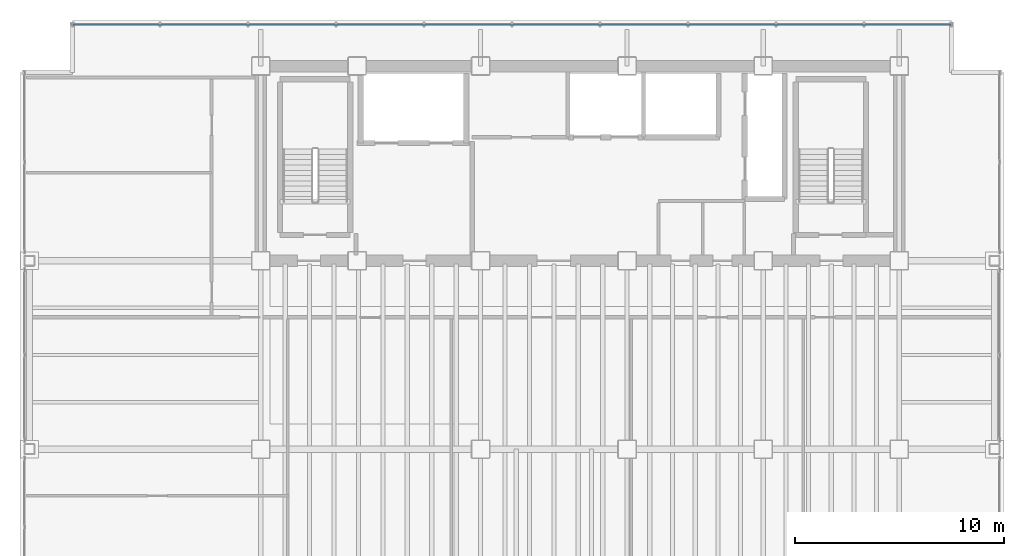
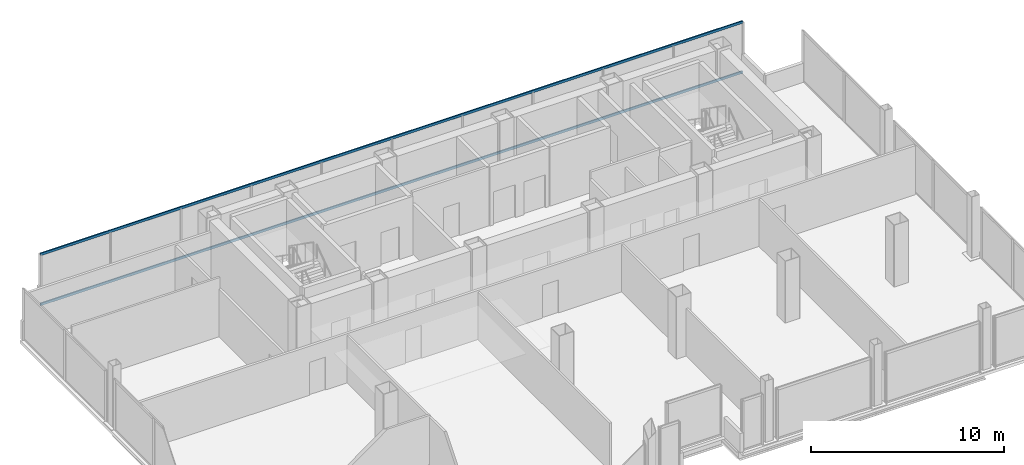
# One storey, part 10 of 20: 2 members, 1 element without a shape of its own.
"""IFC4 building model written with IfcOpenShell, lengths in metres."""

from ifc_helpers import new_model, si_unit, direction, frame, origin, origin_2d, place, context, subcontext, project, spatial, hollow_rectangle, extrude, material, material_profile, profile_set, type_object, element, aggregate, save


model = new_model("IFC4")

# Units and contexts
model_context = context("Model", 3, precision=1e-05, world=origin(), true_north=direction((0.0, 1.0)))
body_context = subcontext(model_context, "Body", "Model", "MODEL_VIEW")
ifc_project = project(units=[si_unit("LENGTHUNIT", "METRE"), si_unit("AREAUNIT", "SQUARE_METRE"), si_unit("VOLUMEUNIT", "CUBIC_METRE"), si_unit("PLANEANGLEUNIT", "RADIAN"), si_unit("MASSUNIT", "GRAM", prefix="KILO")], contexts=[model_context])

# Site, building, storey
site_placement = place(None, origin())
site = spatial("IfcSite", under=ifc_project, at=site_placement, CompositionType="ELEMENT")
building_placement = place(site_placement, origin())
building = spatial("IfcBuilding", under=site, at=building_placement, Name="Noeulbin Bourse Tower", CompositionType="ELEMENT")
storey_placement = place(building_placement, frame((0.0, 0.0, 126.60009765625)))
storey = spatial("IfcBuildingStorey", under=building, at=storey_placement, Name="L31", CompositionType="ELEMENT", Elevation=126.60009765625)

# Curtain wall, members
ifc_material_1 = material(Name="Dark Tinted Triple Glazing", Category="glass")
curtain_wall_type = type_object("IfcCurtainWallType", Name="CW-SYS-3", PredefinedType="NOTDEFINED", material=ifc_material_1)
curtain_wall_placement = place(storey_placement, origin())
curtain_wall = element("IfcCurtainWall", 1, at=curtain_wall_placement, inside=storey, type_object=curtain_wall_type, Name="Unitised Curtain Wall CW-L31-N", PredefinedType="NOTDEFINED")
ifc_material_2 = material(Name="Anodised Aluminium 6063-T6", Category="aluminium")
ifc_material_profile = material_profile(ifc_material_2, hollow_rectangle(XDim=0.074951171875, YDim=0.159912109375, WallThickness=0.0048828125, InnerFilletRadius=0.00244140625, OuterFilletRadius=0.0048828125, at=origin_2d()), Name="ALU-TRAN-75x160x5", Category="LoadBearing")
ifc_profile_set = profile_set([ifc_material_profile], Name="Anodised Aluminium 6063-T6")
member_type = type_object("IfcMemberType", Name="CW-SYS-3-TRN", PredefinedType="USERDEFINED", material=ifc_profile_set)
member_1_placement = place(storey_placement, frame((4.530029296875, 40.280029296875, 0.010009765625), z_axis=(1.0, 0.0, 0.0), x_axis=(0.0, 1.0, 0.0)))
member_1 = element("IfcMember", 2, at=member_1_placement, type_object=member_type, Name="Curtain Wall Transom CW-L31-N-T00", ObjectType="TRANSOM", PredefinedType="USERDEFINED", context=body_context, shape_type="SweptSolid", body=[
    extrude(hollow_rectangle(XDim=0.074951171875, YDim=0.159912109375, WallThickness=0.0048828125, InnerFilletRadius=0.00244140625, OuterFilletRadius=0.0048828125, at=origin_2d()), origin(), (0.0, 0.0, 1.0), 41.93994140625),
])
member_2_placement = place(storey_placement, frame((4.530029296875, 40.280029296875, 3.169921875), z_axis=(1.0, 0.0, 0.0), x_axis=(0.0, 1.0, 0.0)))
member_2 = element("IfcMember", 3, at=member_2_placement, type_object=member_type, Name="Curtain Wall Transom CW-L31-N-T01", ObjectType="TRANSOM", PredefinedType="USERDEFINED", context=body_context, shape_type="SweptSolid", body=[
    extrude(hollow_rectangle(XDim=0.074951171875, YDim=0.159912109375, WallThickness=0.0048828125, InnerFilletRadius=0.00244140625, OuterFilletRadius=0.0048828125, at=origin_2d()), origin(), (0.0, 0.0, 1.0), 41.93994140625),
])
aggregate(curtain_wall, [member_1, member_2])

save(model, "model.ifc")
